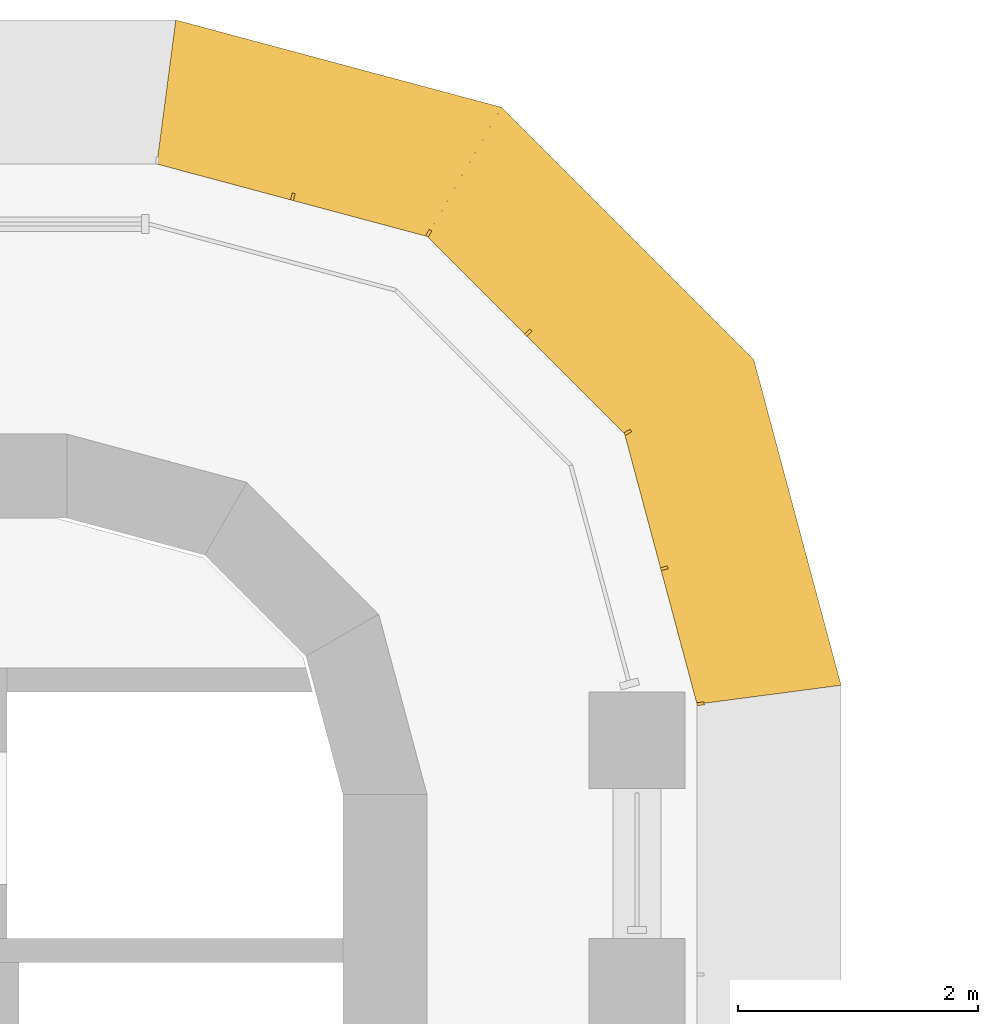
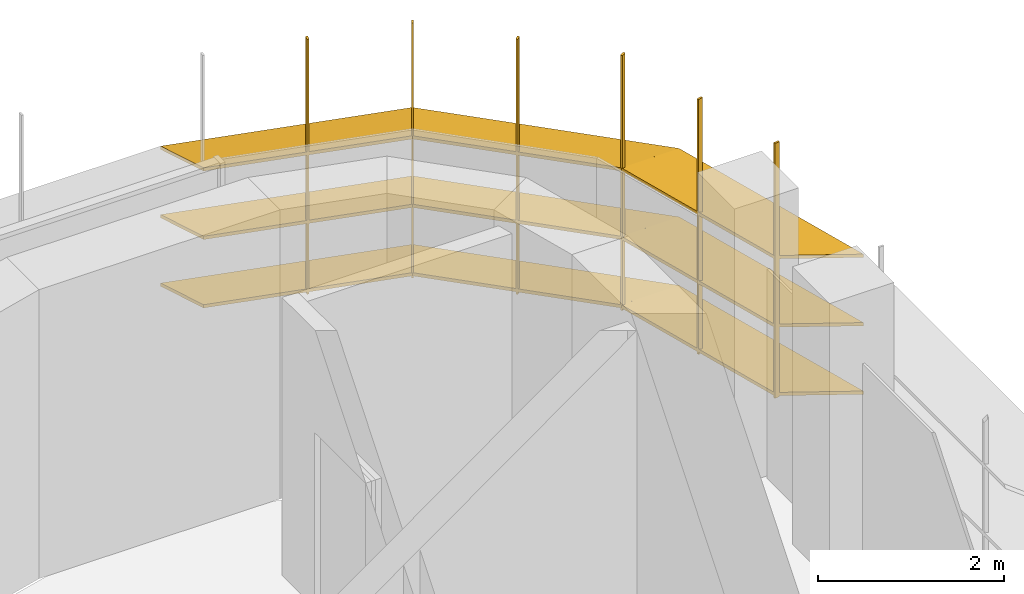
# One storey, part 20 of 20: 1 shading device.
"""IFC4 building model written with IfcOpenShell, lengths in metres."""

from ifc_helpers import new_model, si_unit, direction, frame, origin, place, context, subcontext, project, spatial, polyline, outline, extrude, faceted_brep, source, transform, mapped, material, type_object, element, save


model = new_model("IFC4")

# Units and contexts
model_context = context("Model", 3, precision=1e-05, world=origin(), true_north=direction((0.0, 1.0)))
body_context = subcontext(model_context, "Body", "Model", "MODEL_VIEW")
ifc_project = project(units=[si_unit("LENGTHUNIT", "METRE"), si_unit("AREAUNIT", "SQUARE_METRE"), si_unit("VOLUMEUNIT", "CUBIC_METRE"), si_unit("PLANEANGLEUNIT", "RADIAN"), si_unit("MASSUNIT", "GRAM", prefix="KILO")], contexts=[model_context])

# Site, building, storey
site_placement = place(None, origin())
site = spatial("IfcSite", under=ifc_project, at=site_placement, CompositionType="ELEMENT")
building_placement = place(site_placement, origin())
building = spatial("IfcBuilding", under=site, at=building_placement, Name="Zarbagh Exchange Tower", CompositionType="ELEMENT")
storey_placement = place(building_placement, frame((0.0, 0.0, 141.0)))
storey = spatial("IfcBuildingStorey", under=building, at=storey_placement, Name="L33", CompositionType="ELEMENT", Elevation=141.0)

# Shading device
ifc_material = material(Name="Anodised aluminium blades and brackets", Category="aluminium")
shading_device_type = type_object("IfcShadingDeviceType", Name="SUNSHADE louvre band, 22.5 degree blades", PredefinedType="JALOUSIE", material=ifc_material)
shared_shape_1 = source(origin(), body_context, "Body", "Brep", [
    faceted_brep([(0.0, 0.0, 0.0), (0.0, 0.0, -0.043212890625), (-0.157958984375, -1.199951171875, -0.540283203125), (-0.157958984375, -1.199951171875, -0.4970703125), (2.65087890625, -1.199951171875, -0.4970703125), (2.65087890625, -1.199951171875, -0.540283203125), (2.329345703125, 0.0, -0.043212890625), (2.329345703125, 0.0, 0.0)], [[[0, 1, 2, 3]], [[4, 5, 6, 7]], [[0, 7, 6, 1]], [[1, 6, 5, 2]], [[2, 5, 4, 3]], [[3, 4, 7, 0]]]),
])
shared_shape_2 = source(origin(), body_context, "Body", "Brep", [
    faceted_brep([(0.0, 0.0, 0.0), (0.0, 0.0, -0.043212890625), (-0.321533203125, -1.199951171875, -0.540283203125), (-0.321533203125, -1.199951171875, -0.4970703125), (2.65087890625, -1.199951171875, -0.4970703125), (2.65087890625, -1.199951171875, -0.540283203125), (2.329345703125, 0.0, -0.043212890625), (2.329345703125, 0.0, 0.0)], [[[0, 1, 2, 3]], [[4, 5, 6, 7]], [[0, 7, 6, 1]], [[1, 6, 5, 2]], [[2, 5, 4, 3]], [[3, 4, 7, 0]]]),
])
shared_shape_3 = source(origin(), body_context, "Body", "Brep", [
    faceted_brep([(0.0, 0.0, 0.0), (0.0, 0.0, -0.043212890625), (-0.321533203125, -1.199951171875, -0.540283203125), (-0.321533203125, -1.199951171875, -0.4970703125), (2.4873046875, -1.199951171875, -0.4970703125), (2.4873046875, -1.199951171875, -0.540283203125), (2.329345703125, 0.0, -0.043212890625), (2.329345703125, 0.0, 0.0)], [[[0, 1, 2, 3]], [[4, 5, 6, 7]], [[0, 7, 6, 1]], [[1, 6, 5, 2]], [[2, 5, 4, 3]], [[3, 4, 7, 0]]]),
])
shared_shape_4 = source(origin(), body_context, "Body", "SweptSolid", [
    extrude(outline(polyline([(0.0, -0.012451171875), (0.06005859375, -0.012451171875), (0.06005859375, 0.012451171875), (0.0, 0.012451171875), (0.0, -0.012451171875)])), origin(), (0.0, 0.0, 1.0), 3.353271484375),
])
shading_device_placement = place(storey_placement, origin())
element("IfcShadingDevice", 1, at=shading_device_placement, inside=storey, type_object=shading_device_type, Name="SS26 sunshade band", PredefinedType="JALOUSIE", context=body_context, shape_type="MappedRepresentation", body=[
    mapped(shared_shape_1, transform((6.75, 27.0, 2.300048828125), x_axis=(-0.258824779902, 0.965924289636, 0.0), y_axis=(-0.965924289636, -0.258824779902, 0.0), z_axis=(0.0, 0.0, 1.0))),
    mapped(shared_shape_1, transform((6.75, 27.0, 1.39990234375), x_axis=(-0.258824779902, 0.965924289636, 0.0), y_axis=(-0.965924289636, -0.258824779902, 0.0), z_axis=(0.0, 0.0, 1.0))),
    mapped(shared_shape_1, transform((6.75, 27.0, 0.5), x_axis=(-0.258824779902, 0.965924289636, 0.0), y_axis=(-0.965924289636, -0.258824779902, 0.0), z_axis=(0.0, 0.0, 1.0))),
    mapped(shared_shape_2, transform((6.147216796875, 29.25, 2.300048828125), x_axis=(-0.707106781187, 0.707106781187, 0.0), y_axis=(-0.707106781187, -0.707106781187, 0.0), z_axis=(0.0, 0.0, 1.0))),
    mapped(shared_shape_2, transform((6.147216796875, 29.25, 1.39990234375), x_axis=(-0.707106781187, 0.707106781187, 0.0), y_axis=(-0.707106781187, -0.707106781187, 0.0), z_axis=(0.0, 0.0, 1.0))),
    mapped(shared_shape_2, transform((6.147216796875, 29.25, 0.5), x_axis=(-0.707106781187, 0.707106781187, 0.0), y_axis=(-0.707106781187, -0.707106781187, 0.0), z_axis=(0.0, 0.0, 1.0))),
    mapped(shared_shape_3, transform((4.5, 30.897216796875, 2.300048828125), x_axis=(-0.965924289636, 0.258824779902, 0.0), y_axis=(-0.258824779902, -0.965924289636, 0.0), z_axis=(0.0, 0.0, 1.0))),
    mapped(shared_shape_3, transform((4.5, 30.897216796875, 1.39990234375), x_axis=(-0.965924289636, 0.258824779902, 0.0), y_axis=(-0.258824779902, -0.965924289636, 0.0), z_axis=(0.0, 0.0, 1.0))),
    mapped(shared_shape_3, transform((4.5, 30.897216796875, 0.5), x_axis=(-0.965924289636, 0.258824779902, 0.0), y_axis=(-0.258824779902, -0.965924289636, 0.0), z_axis=(0.0, 0.0, 1.0))),
    mapped(shared_shape_4, transform((6.75, 27.0, 0.4267578125), x_axis=(0.991444457092, 0.130529263012, 0.0), y_axis=(-0.130529263012, 0.991444457092, 0.0), z_axis=(0.0, 0.0, 1.0))),
    mapped(shared_shape_4, transform((6.448486328125, 28.125, 0.4267578125), x_axis=(0.96592421511, 0.258825058029, 0.0), y_axis=(-0.258825058029, 0.96592421511, 0.0), z_axis=(0.0, 0.0, 1.0))),
    mapped(shared_shape_4, transform((6.147216796875, 29.25, 0.4267578125), x_axis=(0.866023812018, 0.50000275701, 0.0), y_axis=(-0.50000275701, 0.866023812018, 0.0), z_axis=(0.0, 0.0, 1.0))),
    mapped(shared_shape_4, transform((5.323486328125, 30.073486328125, 0.4267578125), x_axis=(0.707106781187, 0.707106781187, 0.0), y_axis=(-0.707106781187, 0.707106781187, 0.0), z_axis=(0.0, 0.0, 1.0))),
    mapped(shared_shape_4, transform((4.5, 30.897216796875, 0.4267578125), x_axis=(0.50000275701, 0.866023812018, 0.0), y_axis=(-0.866023812018, 0.50000275701, 0.0), z_axis=(0.0, 0.0, 1.0))),
    mapped(shared_shape_4, transform((3.375, 31.198486328125, 0.4267578125), x_axis=(0.258825058029, 0.96592421511, 0.0), y_axis=(-0.96592421511, 0.258825058029, 0.0), z_axis=(0.0, 0.0, 1.0))),
])

save(model, "model.ifc")
